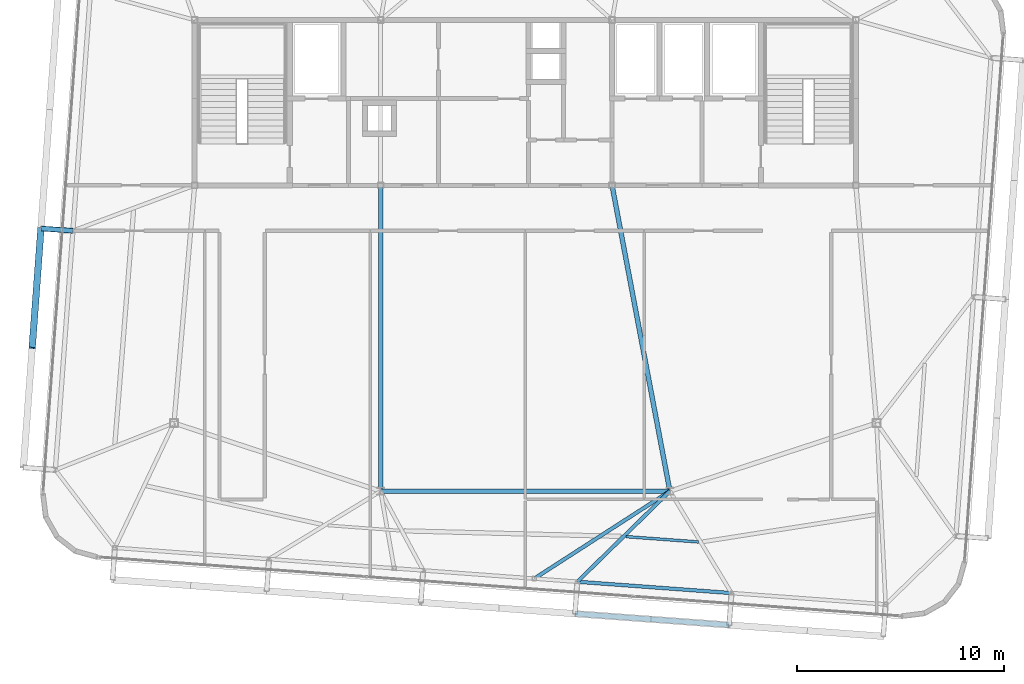
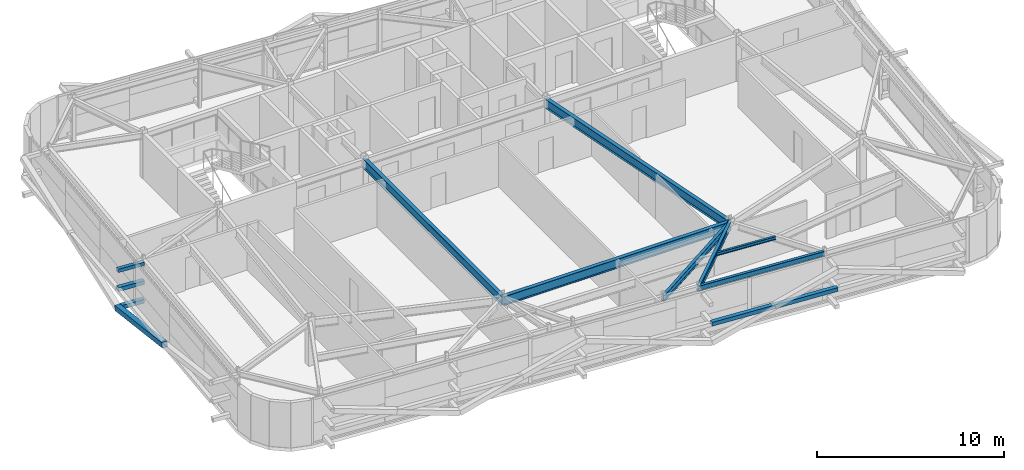
# One storey, part 12 of 34: 7 beams, 5 members.
"""IFC4 building model written with IfcOpenShell, lengths in metres."""

from ifc_helpers import new_model, si_unit, direction, frame, origin, origin_2d, place, context, subcontext, project, spatial, hollow_rectangle, i_section, extrude, source, transform, mapped, material, material_profile, profile_set, type_object, element, save


model = new_model("IFC4")

# Units and contexts
model_context = context("Model", 3, precision=1e-05, world=origin(), true_north=direction((0.0, 1.0)))
body_context = subcontext(model_context, "Body", "Model", "MODEL_VIEW")
ifc_project = project(units=[si_unit("LENGTHUNIT", "METRE"), si_unit("AREAUNIT", "SQUARE_METRE"), si_unit("VOLUMEUNIT", "CUBIC_METRE"), si_unit("PLANEANGLEUNIT", "RADIAN"), si_unit("MASSUNIT", "GRAM", prefix="KILO")], contexts=[model_context])

# Site, building, storey
site_placement = place(None, origin())
site = spatial("IfcSite", under=ifc_project, at=site_placement, CompositionType="ELEMENT")
building_placement = place(site_placement, origin())
building = spatial("IfcBuilding", under=site, at=building_placement, Name="Taldren Reach Tower", CompositionType="ELEMENT")
storey_placement = place(building_placement, frame((0.0, 0.0, 246.050048828125)))
storey = spatial("IfcBuildingStorey", under=building, at=storey_placement, Name="L75", CompositionType="ELEMENT", Elevation=246.050048828125)

# Beams
ifc_material_1 = material(Name="Steel Gr 350 (350PLUS)", Category="steel")
ifc_material_profile_1 = material_profile(ifc_material_1, i_section(OverallWidth=0.22802734375, OverallDepth=0.60205078125, WebThickness=0.010498046875, FlangeThickness=0.014892578125, at=origin_2d()), Name="610UB101")
ifc_profile_set_1 = profile_set([ifc_material_profile_1], Name="Steel Gr 350 (350PLUS)")
beam_type_1 = type_object("IfcBeamType", Name="BM-UB610B", PredefinedType="BEAM", material=ifc_profile_set_1)
shared_shape_1 = source(origin(), body_context, "Body", "SweptSolid", [
    extrude(i_section(OverallWidth=0.22802734375, OverallDepth=0.60205078125, WebThickness=0.010498046875, FlangeThickness=0.014892578125, at=origin_2d()), origin(), (0.0, 0.0, 1.0), 14.0),
])
beam_1_placement = place(storey_placement, frame((28.0, 9.199951171875, 2.62890625), z_axis=(1.0, 0.0, 0.0), x_axis=(0.0, 1.0, 0.0)))
element("IfcBeam", 1, at=beam_1_placement, inside=storey, type_object=beam_type_1, Name="Core-spine girder L75-SP11", PredefinedType="BEAM", context=body_context, shape_type="MappedRepresentation", body=[
    mapped(shared_shape_1, transform((0.0, 0.0, 0.0), scale=1.0)),
])
shared_shape_2 = source(origin(), body_context, "Body", "SweptSolid", [
    extrude(i_section(OverallWidth=0.22802734375, OverallDepth=0.60205078125, WebThickness=0.010498046875, FlangeThickness=0.014892578125, at=origin_2d()), origin(), (0.0, 0.0, 1.0), 14.800048828125),
])
beam_2_placement = place(storey_placement, frame((28.0, 24.0, 2.62890625), z_axis=(0.0, -1.0, 0.0), x_axis=(1.0, 0.0, 0.0)))
element("IfcBeam", 2, at=beam_2_placement, inside=storey, type_object=beam_type_1, Name="Core-spine girder L75-SP14", PredefinedType="BEAM", context=body_context, shape_type="MappedRepresentation", body=[
    mapped(shared_shape_2, transform((0.0, 0.0, 0.0), scale=1.0)),
])
shared_shape_3 = source(origin(), body_context, "Body", "SweptSolid", [
    extrude(i_section(OverallWidth=0.22802734375, OverallDepth=0.60205078125, WebThickness=0.010498046875, FlangeThickness=0.014892578125, at=origin_2d()), origin(), (0.0, 0.0, 1.0), 15.0625),
])
beam_3_placement = place(storey_placement, frame((39.199951171875, 24.0, 2.62890625), z_axis=(0.185894205668, -0.982569765614, 0.0), x_axis=(0.982569765614, 0.185894205668, 0.0)))
element("IfcBeam", 3, at=beam_3_placement, inside=storey, type_object=beam_type_1, Name="Core-spine girder L75-SP15", PredefinedType="BEAM", context=body_context, shape_type="MappedRepresentation", body=[
    mapped(shared_shape_3, transform((0.0, 0.0, 0.0), scale=1.0)),
])
ifc_material_profile_2 = material_profile(ifc_material_1, i_section(OverallWidth=0.172119140625, OverallDepth=0.35888671875, WebThickness=0.008056640625, FlangeThickness=0.012939453125, at=origin_2d()), Name="360UB56.7")
ifc_profile_set_2 = profile_set([ifc_material_profile_2], Name="Steel Gr 350 (350PLUS)")
beam_type_2 = type_object("IfcBeamType", Name="SP-UB360", PredefinedType="SPANDREL", material=ifc_profile_set_2)
shared_shape_4 = source(origin(), body_context, "Body", "SweptSolid", [
    extrude(i_section(OverallWidth=0.172119140625, OverallDepth=0.35888671875, WebThickness=0.008056640625, FlangeThickness=0.012939453125, at=origin_2d()), origin(), (0.0, 0.0, 1.0), 7.479736328125),
])
beam_4_placement = place(storey_placement, frame((37.5205078125, 4.81689453125, 2.75048828125), z_axis=(0.997314045547, -0.073244075215, 0.0), x_axis=(0.073244075215, 0.997314045547, 0.0)))
element("IfcBeam", 4, at=beam_4_placement, inside=storey, type_object=beam_type_2, Name="Perimeter spandrel B5 S4-S5 L75", PredefinedType="SPANDREL", context=body_context, shape_type="MappedRepresentation", body=[
    mapped(shared_shape_4, transform((0.0, 0.0, 0.0), scale=1.0)),
])
ifc_material_profile_3 = material_profile(ifc_material_1, i_section(OverallWidth=0.177978515625, OverallDepth=0.406005859375, WebThickness=0.0078125, FlangeThickness=0.0126953125, at=origin_2d()), Name="410UB59.7")
ifc_profile_set_3 = profile_set([ifc_material_profile_3], Name="Steel Gr 350 (350PLUS)")
beam_type_3 = type_object("IfcBeamType", Name="BM-UB410", PredefinedType="BEAM", material=ifc_profile_set_3)
shared_shape_5 = source(origin(), body_context, "Body", "SweptSolid", [
    extrude(i_section(OverallWidth=0.177978515625, OverallDepth=0.406005859375, WebThickness=0.0078125, FlangeThickness=0.0126953125, at=origin_2d()), origin(), (0.0, 0.0, 1.0), 7.80908203125),
])
beam_5_placement = place(storey_placement, frame((42.0, 9.199951171875, 2.72705078125), z_axis=(-0.840564391699, -0.541711642304, 0.0), x_axis=(0.541711642304, -0.840564391699, 0.0)))
element("IfcBeam", 5, at=beam_5_placement, inside=storey, type_object=beam_type_3, Name="Primary floor girder B5-PJ2 L75", PredefinedType="BEAM", context=body_context, shape_type="MappedRepresentation", body=[
    mapped(shared_shape_5, transform((0.0, 0.0, 0.0), scale=1.0)),
])
shared_shape_6 = source(origin(), body_context, "Body", "SweptSolid", [
    extrude(i_section(OverallWidth=0.177978515625, OverallDepth=0.406005859375, WebThickness=0.0078125, FlangeThickness=0.0126953125, at=origin_2d()), origin(), (0.0, 0.0, 1.0), 6.26708984375),
])
beam_6_placement = place(storey_placement, frame((42.0, 9.199951171875, 2.72705078125), z_axis=(-0.71475866888, -0.699371178461, 0.0), x_axis=(0.699371178461, -0.71475866888, 0.0)))
element("IfcBeam", 6, at=beam_6_placement, inside=storey, type_object=beam_type_3, Name="Primary floor girder B5-S4 L75", PredefinedType="BEAM", context=body_context, shape_type="MappedRepresentation", body=[
    mapped(shared_shape_6, transform((0.0, 0.0, 0.0), scale=1.0)),
])
ifc_material_2 = material(Name="Steel Gr 300 (300PLUS, 300 MPa)", Category="steel")
ifc_material_profile_4 = material_profile(ifc_material_2, i_section(OverallWidth=0.134033203125, OverallDepth=0.20703125, WebThickness=0.00634765625, FlangeThickness=0.009521484375, at=origin_2d()), Name="200UB29.8")
ifc_profile_set_4 = profile_set([ifc_material_profile_4], Name="Steel Gr 300 (300PLUS, 300 MPa)")
beam_type_4 = type_object("IfcBeamType", Name="JS-UB200", PredefinedType="JOIST", material=ifc_profile_set_4)
shared_shape_7 = source(origin(), body_context, "Body", "SweptSolid", [
    extrude(i_section(OverallWidth=0.134033203125, OverallDepth=0.20703125, WebThickness=0.00634765625, FlangeThickness=0.009521484375, at=origin_2d()), origin(), (0.0, 0.0, 1.0), 3.51220703125),
])
beam_7_placement = place(storey_placement, frame((39.878662109375, 6.999755859375, 2.826416015625), z_axis=(0.997312333235, -0.073267386856, 0.0), x_axis=(0.073267386856, 0.997312333235, 0.0)))
element("IfcBeam", 7, at=beam_7_placement, inside=storey, type_object=beam_type_4, Name="Secondary floor joist B5 J4 L75", PredefinedType="JOIST", context=body_context, shape_type="MappedRepresentation", body=[
    mapped(shared_shape_7, transform((0.0, 0.0, 0.0), scale=1.0)),
])

# Members
ifc_material_3 = material(Name="Steel Gr 450 (C450L0)", Category="steel")
ifc_material_profile_5 = material_profile(ifc_material_3, hollow_rectangle(XDim=0.219970703125, YDim=0.219970703125, WallThickness=0.00830078125, at=origin_2d()), Name="220x220x8.2SHS")
ifc_profile_set_5 = profile_set([ifc_material_profile_5], Name="Steel Gr 450 (C450L0)")
member_type_1 = type_object("IfcMemberType", Name="MB-TIE219", PredefinedType="STRUT", material=ifc_profile_set_5)
shared_shape_8 = source(origin(), body_context, "Body", "SweptSolid", [
    extrude(hollow_rectangle(XDim=0.219970703125, YDim=0.219970703125, WallThickness=0.00830078125, at=origin_2d()), origin(), (0.0, 0.0, 1.0), 1.546142578125),
])
member_1_placement = place(storey_placement, frame((13.104736328125, 21.800537109375, 2.64990234375), z_axis=(-0.997312378271, 0.073266773831, 0.0), x_axis=(-0.073266773831, -0.997312378271, 0.0)))
element("IfcMember", 8, at=member_1_placement, inside=storey, type_object=member_type_1, Name="Exoskeleton diaphragm tie strut B5-W2 L75", PredefinedType="STRUT", context=body_context, shape_type="MappedRepresentation", body=[
    mapped(shared_shape_8, transform((0.0, 0.0, 0.0), scale=1.0)),
])
ifc_material_4 = material(Name="Steel Gr 350 (C350L0)", Category="steel")
ifc_material_profile_6 = material_profile(ifc_material_4, hollow_rectangle(XDim=0.25, YDim=0.25, WallThickness=0.010009765625, at=origin_2d()), Name="250x250x10.0SHS")
ifc_profile_set_6 = profile_set([ifc_material_profile_6], Name="Steel Gr 350 (C350L0)")
member_type_2 = type_object("IfcMemberType", Name="MB-POST250", PredefinedType="POST", material=ifc_profile_set_6)
shared_shape_9 = source(origin(), body_context, "Body", "SweptSolid", [
    extrude(hollow_rectangle(XDim=0.25, YDim=0.25, WallThickness=0.010009765625, at=origin_2d()), origin(), (0.0, 0.0, 1.0), 7.479736328125),
])
member_2_placement = place(storey_placement, frame((37.406982421875, 3.27099609375, 1.43505859375), z_axis=(0.997314045547, -0.073244075215, 0.0), x_axis=(0.073244075215, 0.997314045547, 0.0)))
element("IfcMember", 9, at=member_2_placement, inside=storey, type_object=member_type_2, Name="Exoskeleton mid-height ring chord B5-S4 L75", PredefinedType="POST", context=body_context, shape_type="MappedRepresentation", body=[
    mapped(shared_shape_9, transform((0.0, 0.0, 0.0), scale=1.0)),
])
ifc_material_profile_7 = material_profile(ifc_material_3, hollow_rectangle(XDim=0.324951171875, YDim=0.324951171875, WallThickness=0.0126953125, at=origin_2d()), Name="325x325x12.7SHS")
ifc_profile_set_7 = profile_set([ifc_material_profile_7], Name="Steel Gr 450 (C450L0)")
member_type_3 = type_object("IfcMemberType", Name="MB-BR324", PredefinedType="BRACE", material=ifc_profile_set_7)
shared_shape_10 = source(origin(), body_context, "Body", "SweptSolid", [
    extrude(hollow_rectangle(XDim=0.324951171875, YDim=0.324951171875, WallThickness=0.0126953125, at=origin_2d()), origin(), (0.0, 0.0, 1.0), 5.926025390625),
])
member_3_placement = place(storey_placement, frame((11.562744140625, 21.913818359375, 0.219970703125), z_axis=(-0.071685935393, -0.976123486939, 0.205046494513), x_axis=(0.997314185625, -0.073242167855, 0.0)))
element("IfcMember", 10, at=member_3_placement, inside=storey, type_object=member_type_3, Name="Exoskeleton Diagrid Brace B5-W1 L75", PredefinedType="BRACE", context=body_context, shape_type="MappedRepresentation", body=[
    mapped(shared_shape_10, transform((0.0, 0.0, 0.0), scale=1.0)),
])
shared_shape_11 = source(origin(), body_context, "Body", "SweptSolid", [
    extrude(hollow_rectangle(XDim=0.25, YDim=0.25, WallThickness=0.010009765625, at=origin_2d()), origin(), (0.0, 0.0, 1.0), 1.546142578125),
])
for number, where, z_axis, x_axis, name in (
    (11, (13.104736328125, 21.800537109375, 0.219970703125), (-0.997312378271, 0.073266773831, 0.0), (-0.073266773831, -0.997312378271, 0.0), "Exoskeleton base diaphragm tie strut B5-W2 L75"),
    (12, (13.104736328125, 21.800537109375, 1.43505859375), (-0.997312378271, 0.073266773831, 0.0), (-0.073266773831, -0.997312378271, 0.0), "Exoskeleton mid-tier diaphragm tie B5-W2 L75"),
):
    element("IfcMember", number, at=place(storey_placement, frame(where, z_axis=z_axis, x_axis=x_axis)), inside=storey, type_object=member_type_2, Name=name, PredefinedType="POST", context=body_context, shape_type="MappedRepresentation", body=[
        mapped(shared_shape_11, transform((0.0, 0.0, 0.0), scale=1.0)),
    ])

save(model, "model.ifc")
